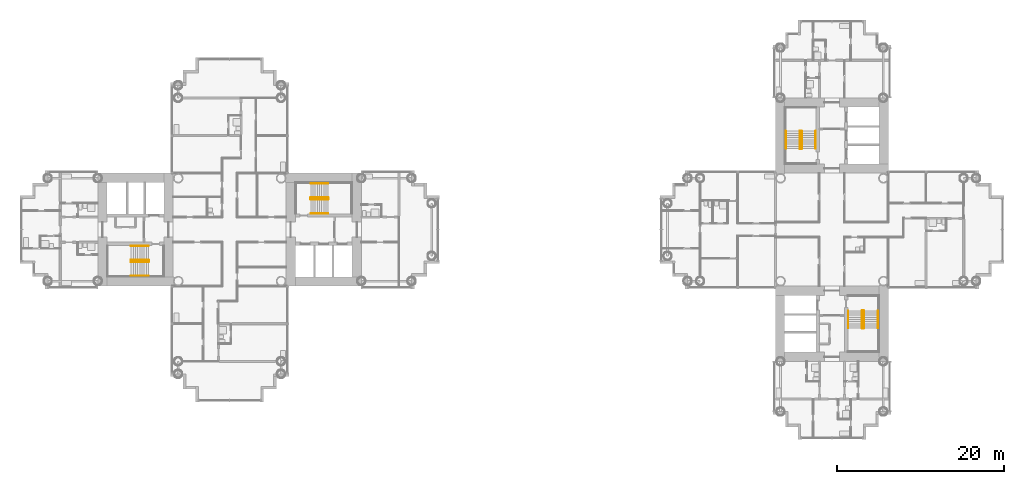
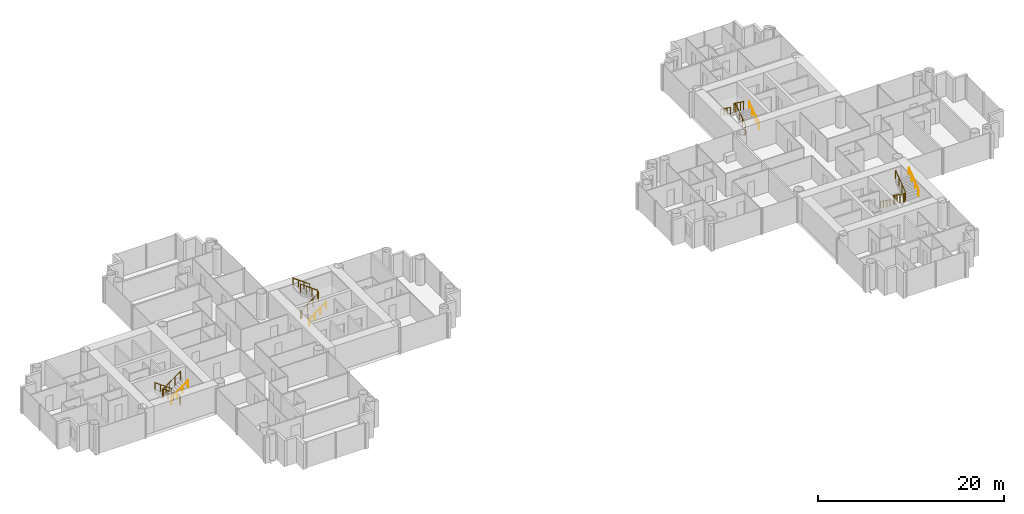
# One storey, part 21 of 22: 12 railings.
"""IFC4 building model written with IfcOpenShell, lengths in metres."""

from ifc_helpers import new_model, si_unit, direction, frame, origin, origin_2d, place, context, subcontext, project, spatial, circle, extrude, material, type_object, element, save


model = new_model("IFC4")

# Units and contexts
model_context = context("Model", 3, precision=1e-05, world=origin(), true_north=direction((0.0, 1.0)))
body_context = subcontext(model_context, "Body", "Model", "MODEL_VIEW")
ifc_project = project(units=[si_unit("LENGTHUNIT", "METRE"), si_unit("AREAUNIT", "SQUARE_METRE"), si_unit("VOLUMEUNIT", "CUBIC_METRE"), si_unit("PLANEANGLEUNIT", "RADIAN"), si_unit("MASSUNIT", "GRAM", prefix="KILO")], contexts=[model_context])

# Site, building, storey
site_placement = place(None, origin())
site = spatial("IfcSite", under=ifc_project, at=site_placement, CompositionType="ELEMENT")
building_placement = place(site_placement, origin())
building = spatial("IfcBuilding", under=site, at=building_placement, Name="Ipe Terrace Towers", CompositionType="ELEMENT")
storey_placement = place(building_placement, frame((0.0, 0.0, 61.89990234375)))
storey = spatial("IfcBuildingStorey", under=building, at=storey_placement, Name="L16", CompositionType="ELEMENT", Elevation=61.89990234375)

# Railings
ifc_material_1 = material(Name="Steel S355", Category="steel")
railing_type_1 = type_object("IfcRailingType", Name="Stair guard 1100", PredefinedType="GUARDRAIL", material=ifc_material_1)
railing_1_placement = place(storey_placement, frame((-26.35009765625, 3.800048828125, 0.0)))
element("IfcRailing", 1, at=railing_1_placement, inside=storey, type_object=railing_type_1, Name="L16 T1-ST1 stair guard 1", PredefinedType="GUARDRAIL", context=body_context, shape_type="SweptSolid", body=[
    extrude(circle(Radius=0.02392578125, at=origin_2d()), frame((0.0, 0.0, 1.076171875), z_axis=(0.0, -1.0, 0.0), x_axis=(1.0, 0.0, 0.0)), (0.0, 0.0, 1.0), 0.150146484375),
    extrude(circle(Radius=0.02392578125, at=origin_2d()), frame((0.0, -0.150146484375, 1.076171875), z_axis=(0.248103849378, -0.246893586699, 0.936743314239), x_axis=(0.705375805398, 0.708833529934, 0.0)), (0.0, 0.0, 1.0), 0.20166015625),
    extrude(circle(Radius=0.02392578125, at=origin_2d()), frame((0.050048828125, -0.199951171875, 1.26513671875), z_axis=(0.809023421508, 0.0, 0.587776406001), x_axis=(0.0, 1.0, 0.0)), (0.0, 0.0, 1.0), 2.571044921875),
    extrude(circle(Radius=0.02392578125, at=origin_2d()), frame((2.130126953125, -0.199951171875, 2.7763671875), z_axis=(0.708833529934, 0.705375805398, 0.0), x_axis=(-0.705375805398, 0.708833529934, 0.0)), (0.0, 0.0, 1.0), 0.070556640625),
    extrude(circle(Radius=0.02392578125, at=origin_2d()), frame((2.18017578125, -0.150146484375, 2.7763671875), z_axis=(0.0, 1.0, 0.0), x_axis=(-1.0, 0.0, 0.0)), (0.0, 0.0, 1.0), 0.150146484375),
    extrude(circle(Radius=0.02392578125, at=origin_2d()), frame((2.18017578125, 0.0, 2.7763671875), z_axis=(-0.248310886586, 0.248310886586, 0.936313733321), x_axis=(-0.707106781187, -0.707106781187, 0.0)), (0.0, 0.0, 1.0), 0.20166015625),
    extrude(circle(Radius=0.02392578125, at=origin_2d()), frame((2.130126953125, 0.050048828125, 2.96484375), z_axis=(-0.809023421508, 0.0, 0.587776406001), x_axis=(0.0, -1.0, 0.0)), (0.0, 0.0, 1.0), 2.571044921875),
    extrude(circle(Radius=0.02099609375, at=origin_2d()), origin(), (0.0, 0.0, 1.0), 1.052001953125),
    extrude(circle(Radius=0.02099609375, at=origin_2d()), frame((0.0, -0.150146484375, 0.0)), (0.0, 0.0, 1.0), 1.052001953125),
    extrude(circle(Radius=0.02099609375, at=origin_2d()), frame((0.050048828125, -0.199951171875, 0.18896484375)), (0.0, 0.0, 1.0), 1.052001953125),
    extrude(circle(Radius=0.02099609375, at=origin_2d()), frame((0.743408203125, -0.199951171875, 0.692626953125)), (0.0, 0.0, 1.0), 1.052001953125),
    extrude(circle(Radius=0.02099609375, at=origin_2d()), frame((1.436767578125, -0.199951171875, 1.196533203125)), (0.0, 0.0, 1.0), 1.052001953125),
    extrude(circle(Radius=0.02099609375, at=origin_2d()), frame((2.130126953125, -0.199951171875, 1.7001953125)), (0.0, 0.0, 1.0), 1.052001953125),
    extrude(circle(Radius=0.02099609375, at=origin_2d()), frame((2.18017578125, -0.150146484375, 1.7001953125)), (0.0, 0.0, 1.0), 1.052001953125),
    extrude(circle(Radius=0.02099609375, at=origin_2d()), frame((2.18017578125, 0.0, 1.7001953125)), (0.0, 0.0, 1.0), 1.052001953125),
    extrude(circle(Radius=0.02099609375, at=origin_2d()), frame((2.130126953125, 0.050048828125, 1.888916015625)), (0.0, 0.0, 1.0), 1.052001953125),
    extrude(circle(Radius=0.02099609375, at=origin_2d()), frame((1.436767578125, 0.050048828125, 2.392578125)), (0.0, 0.0, 1.0), 1.052001953125),
    extrude(circle(Radius=0.02099609375, at=origin_2d()), frame((0.743408203125, 0.050048828125, 2.896484375)), (0.0, 0.0, 1.0), 1.052001953125),
    extrude(circle(Radius=0.02099609375, at=origin_2d()), frame((0.050048828125, 0.050048828125, 3.400146484375)), (0.0, 0.0, 1.0), 1.052001953125),
])
railing_2_placement = place(storey_placement, frame((-45.64990234375, -3.800048828125, 0.0)))
element("IfcRailing", 2, at=railing_2_placement, inside=storey, type_object=railing_type_1, Name="L16 T1-ST2 stair guard 1", PredefinedType="GUARDRAIL", context=body_context, shape_type="SweptSolid", body=[
    extrude(circle(Radius=0.02392578125, at=origin_2d()), frame((0.0, 0.0, 1.076171875), z_axis=(0.0, 1.0, 0.0), x_axis=(-1.0, 0.0, 0.0)), (0.0, 0.0, 1.0), 0.150146484375),
    extrude(circle(Radius=0.02392578125, at=origin_2d()), frame((0.0, 0.150146484375, 1.076171875), z_axis=(-0.248103849378, 0.246893586699, 0.936743314239), x_axis=(-0.705375805398, -0.708833529934, 0.0)), (0.0, 0.0, 1.0), 0.20166015625),
    extrude(circle(Radius=0.02392578125, at=origin_2d()), frame((-0.050048828125, 0.199951171875, 1.26513671875), z_axis=(-0.809023421508, 0.0, 0.587776406001), x_axis=(0.0, -1.0, 0.0)), (0.0, 0.0, 1.0), 2.571044921875),
    extrude(circle(Radius=0.02392578125, at=origin_2d()), frame((-2.130126953125, 0.199951171875, 2.7763671875), z_axis=(-0.708833529934, -0.705375805398, 0.0), x_axis=(0.705375805398, -0.708833529934, 0.0)), (0.0, 0.0, 1.0), 0.070556640625),
    extrude(circle(Radius=0.02392578125, at=origin_2d()), frame((-2.18017578125, 0.150146484375, 2.7763671875), z_axis=(0.0, -1.0, 0.0), x_axis=(1.0, 0.0, 0.0)), (0.0, 0.0, 1.0), 0.150146484375),
    extrude(circle(Radius=0.02392578125, at=origin_2d()), frame((-2.18017578125, 0.0, 2.7763671875), z_axis=(0.248310886586, -0.248310886586, 0.936313733321), x_axis=(0.707106781187, 0.707106781187, 0.0)), (0.0, 0.0, 1.0), 0.20166015625),
    extrude(circle(Radius=0.02392578125, at=origin_2d()), frame((-2.130126953125, -0.050048828125, 2.96484375), z_axis=(0.809023421508, 0.0, 0.587776406001), x_axis=(0.0, 1.0, 0.0)), (0.0, 0.0, 1.0), 2.571044921875),
    extrude(circle(Radius=0.02099609375, at=origin_2d()), origin(), (0.0, 0.0, 1.0), 1.052001953125),
    extrude(circle(Radius=0.02099609375, at=origin_2d()), frame((0.0, 0.150146484375, 0.0)), (0.0, 0.0, 1.0), 1.052001953125),
    extrude(circle(Radius=0.02099609375, at=origin_2d()), frame((-0.050048828125, 0.199951171875, 0.18896484375)), (0.0, 0.0, 1.0), 1.052001953125),
    extrude(circle(Radius=0.02099609375, at=origin_2d()), frame((-0.743408203125, 0.199951171875, 0.692626953125)), (0.0, 0.0, 1.0), 1.052001953125),
    extrude(circle(Radius=0.02099609375, at=origin_2d()), frame((-1.436767578125, 0.199951171875, 1.196533203125)), (0.0, 0.0, 1.0), 1.052001953125),
    extrude(circle(Radius=0.02099609375, at=origin_2d()), frame((-2.130126953125, 0.199951171875, 1.7001953125)), (0.0, 0.0, 1.0), 1.052001953125),
    extrude(circle(Radius=0.02099609375, at=origin_2d()), frame((-2.18017578125, 0.150146484375, 1.7001953125)), (0.0, 0.0, 1.0), 1.052001953125),
    extrude(circle(Radius=0.02099609375, at=origin_2d()), frame((-2.18017578125, 0.0, 1.7001953125)), (0.0, 0.0, 1.0), 1.052001953125),
    extrude(circle(Radius=0.02099609375, at=origin_2d()), frame((-2.130126953125, -0.050048828125, 1.888916015625)), (0.0, 0.0, 1.0), 1.052001953125),
    extrude(circle(Radius=0.02099609375, at=origin_2d()), frame((-1.436767578125, -0.050048828125, 2.392578125)), (0.0, 0.0, 1.0), 1.052001953125),
    extrude(circle(Radius=0.02099609375, at=origin_2d()), frame((-0.743408203125, -0.050048828125, 2.896484375)), (0.0, 0.0, 1.0), 1.052001953125),
    extrude(circle(Radius=0.02099609375, at=origin_2d()), frame((-0.050048828125, -0.050048828125, 3.400146484375)), (0.0, 0.0, 1.0), 1.052001953125),
])
railing_3_placement = place(storey_placement, frame((32.199951171875, 9.64990234375, 0.0)))
element("IfcRailing", 3, at=railing_3_placement, inside=storey, type_object=railing_type_1, Name="L16 T2-ST1 stair guard 1", PredefinedType="GUARDRAIL", context=body_context, shape_type="SweptSolid", body=[
    extrude(circle(Radius=0.02392578125, at=origin_2d()), frame((0.0, 0.0, 1.076171875), z_axis=(1.0, 0.0, 0.0), x_axis=(0.0, 1.0, 0.0)), (0.0, 0.0, 1.0), 0.150146484375),
    extrude(circle(Radius=0.02392578125, at=origin_2d()), frame((0.150146484375, 0.0, 1.076171875), z_axis=(0.246893586699, 0.248103849378, 0.936743314239), x_axis=(-0.708833529934, 0.705375805398, 0.0)), (0.0, 0.0, 1.0), 0.20166015625),
    extrude(circle(Radius=0.02392578125, at=origin_2d()), frame((0.199951171875, 0.050048828125, 1.26513671875), z_axis=(0.0, 0.809023421508, 0.587776406001), x_axis=(-1.0, 0.0, 0.0)), (0.0, 0.0, 1.0), 2.571044921875),
    extrude(circle(Radius=0.02392578125, at=origin_2d()), frame((0.199951171875, 2.130126953125, 2.7763671875), z_axis=(-0.705375805398, 0.708833529934, 0.0), x_axis=(-0.708833529934, -0.705375805398, 0.0)), (0.0, 0.0, 1.0), 0.070556640625),
    extrude(circle(Radius=0.02392578125, at=origin_2d()), frame((0.150146484375, 2.18017578125, 2.7763671875), z_axis=(-1.0, 0.0, 0.0), x_axis=(0.0, -1.0, 0.0)), (0.0, 0.0, 1.0), 0.150146484375),
    extrude(circle(Radius=0.02392578125, at=origin_2d()), frame((0.0, 2.18017578125, 2.7763671875), z_axis=(-0.248310886586, -0.248310886586, 0.936313733321), x_axis=(0.707106781187, -0.707106781187, 0.0)), (0.0, 0.0, 1.0), 0.20166015625),
    extrude(circle(Radius=0.02392578125, at=origin_2d()), frame((-0.050048828125, 2.130126953125, 2.96484375), z_axis=(0.0, -0.809023421508, 0.587776406001), x_axis=(1.0, 0.0, 0.0)), (0.0, 0.0, 1.0), 2.571044921875),
    extrude(circle(Radius=0.02099609375, at=origin_2d()), origin(), (0.0, 0.0, 1.0), 1.052001953125),
    extrude(circle(Radius=0.02099609375, at=origin_2d()), frame((0.150146484375, 0.0, 0.0)), (0.0, 0.0, 1.0), 1.052001953125),
    extrude(circle(Radius=0.02099609375, at=origin_2d()), frame((0.199951171875, 0.050048828125, 0.18896484375)), (0.0, 0.0, 1.0), 1.052001953125),
    extrude(circle(Radius=0.02099609375, at=origin_2d()), frame((0.199951171875, 0.743408203125, 0.692626953125)), (0.0, 0.0, 1.0), 1.052001953125),
    extrude(circle(Radius=0.02099609375, at=origin_2d()), frame((0.199951171875, 1.436767578125, 1.196533203125)), (0.0, 0.0, 1.0), 1.052001953125),
    extrude(circle(Radius=0.02099609375, at=origin_2d()), frame((0.199951171875, 2.130126953125, 1.7001953125)), (0.0, 0.0, 1.0), 1.052001953125),
    extrude(circle(Radius=0.02099609375, at=origin_2d()), frame((0.150146484375, 2.18017578125, 1.7001953125)), (0.0, 0.0, 1.0), 1.052001953125),
    extrude(circle(Radius=0.02099609375, at=origin_2d()), frame((0.0, 2.18017578125, 1.7001953125)), (0.0, 0.0, 1.0), 1.052001953125),
    extrude(circle(Radius=0.02099609375, at=origin_2d()), frame((-0.050048828125, 2.130126953125, 1.888916015625)), (0.0, 0.0, 1.0), 1.052001953125),
    extrude(circle(Radius=0.02099609375, at=origin_2d()), frame((-0.050048828125, 1.436767578125, 2.392578125)), (0.0, 0.0, 1.0), 1.052001953125),
    extrude(circle(Radius=0.02099609375, at=origin_2d()), frame((-0.050048828125, 0.743408203125, 2.896484375)), (0.0, 0.0, 1.0), 1.052001953125),
    extrude(circle(Radius=0.02099609375, at=origin_2d()), frame((-0.050048828125, 0.050048828125, 3.400146484375)), (0.0, 0.0, 1.0), 1.052001953125),
])
railing_4_placement = place(storey_placement, frame((39.800048828125, -9.64990234375, 0.0)))
element("IfcRailing", 4, at=railing_4_placement, inside=storey, type_object=railing_type_1, Name="L16 T2-ST2 stair guard 1", PredefinedType="GUARDRAIL", context=body_context, shape_type="SweptSolid", body=[
    extrude(circle(Radius=0.02392578125, at=origin_2d()), frame((0.0, 0.0, 1.076171875), z_axis=(-1.0, 0.0, 0.0), x_axis=(0.0, -1.0, 0.0)), (0.0, 0.0, 1.0), 0.150146484375),
    extrude(circle(Radius=0.02392578125, at=origin_2d()), frame((-0.150146484375, 0.0, 1.076171875), z_axis=(-0.246893586699, -0.248103849378, 0.936743314239), x_axis=(0.708833529934, -0.705375805398, 0.0)), (0.0, 0.0, 1.0), 0.20166015625),
    extrude(circle(Radius=0.02392578125, at=origin_2d()), frame((-0.199951171875, -0.050048828125, 1.26513671875), z_axis=(0.0, -0.809023421508, 0.587776406001), x_axis=(1.0, 0.0, 0.0)), (0.0, 0.0, 1.0), 2.571044921875),
    extrude(circle(Radius=0.02392578125, at=origin_2d()), frame((-0.199951171875, -2.130126953125, 2.7763671875), z_axis=(0.705375805398, -0.708833529934, 0.0), x_axis=(0.708833529934, 0.705375805398, 0.0)), (0.0, 0.0, 1.0), 0.070556640625),
    extrude(circle(Radius=0.02392578125, at=origin_2d()), frame((-0.150146484375, -2.18017578125, 2.7763671875), z_axis=(1.0, 0.0, 0.0), x_axis=(0.0, 1.0, 0.0)), (0.0, 0.0, 1.0), 0.150146484375),
    extrude(circle(Radius=0.02392578125, at=origin_2d()), frame((0.0, -2.18017578125, 2.7763671875), z_axis=(0.248310886586, 0.248310886586, 0.936313733321), x_axis=(-0.707106781187, 0.707106781187, 0.0)), (0.0, 0.0, 1.0), 0.20166015625),
    extrude(circle(Radius=0.02392578125, at=origin_2d()), frame((0.050048828125, -2.130126953125, 2.96484375), z_axis=(0.0, 0.809023421508, 0.587776406001), x_axis=(-1.0, 0.0, 0.0)), (0.0, 0.0, 1.0), 2.571044921875),
    extrude(circle(Radius=0.02099609375, at=origin_2d()), origin(), (0.0, 0.0, 1.0), 1.052001953125),
    extrude(circle(Radius=0.02099609375, at=origin_2d()), frame((-0.150146484375, 0.0, 0.0)), (0.0, 0.0, 1.0), 1.052001953125),
    extrude(circle(Radius=0.02099609375, at=origin_2d()), frame((-0.199951171875, -0.050048828125, 0.18896484375)), (0.0, 0.0, 1.0), 1.052001953125),
    extrude(circle(Radius=0.02099609375, at=origin_2d()), frame((-0.199951171875, -0.743408203125, 0.692626953125)), (0.0, 0.0, 1.0), 1.052001953125),
    extrude(circle(Radius=0.02099609375, at=origin_2d()), frame((-0.199951171875, -1.436767578125, 1.196533203125)), (0.0, 0.0, 1.0), 1.052001953125),
    extrude(circle(Radius=0.02099609375, at=origin_2d()), frame((-0.199951171875, -2.130126953125, 1.7001953125)), (0.0, 0.0, 1.0), 1.052001953125),
    extrude(circle(Radius=0.02099609375, at=origin_2d()), frame((-0.150146484375, -2.18017578125, 1.7001953125)), (0.0, 0.0, 1.0), 1.052001953125),
    extrude(circle(Radius=0.02099609375, at=origin_2d()), frame((0.0, -2.18017578125, 1.7001953125)), (0.0, 0.0, 1.0), 1.052001953125),
    extrude(circle(Radius=0.02099609375, at=origin_2d()), frame((0.050048828125, -2.130126953125, 1.888916015625)), (0.0, 0.0, 1.0), 1.052001953125),
    extrude(circle(Radius=0.02099609375, at=origin_2d()), frame((0.050048828125, -1.436767578125, 2.392578125)), (0.0, 0.0, 1.0), 1.052001953125),
    extrude(circle(Radius=0.02099609375, at=origin_2d()), frame((0.050048828125, -0.743408203125, 2.896484375)), (0.0, 0.0, 1.0), 1.052001953125),
    extrude(circle(Radius=0.02099609375, at=origin_2d()), frame((0.050048828125, -0.050048828125, 3.400146484375)), (0.0, 0.0, 1.0), 1.052001953125),
])
ifc_material_2 = material(Name="Stainless steel grade 304", Category="steel")
railing_type_2 = type_object("IfcRailingType", Name="Stair handrail 900", PredefinedType="HANDRAIL", material=ifc_material_2)
railing_5_placement = place(storey_placement, frame((-26.300048828125, 1.949951171875, 0.18896484375)))
element("IfcRailing", 5, at=railing_5_placement, inside=storey, type_object=railing_type_2, Name="L16 T1-ST1 stair handrail 1", PredefinedType="HANDRAIL", context=body_context, shape_type="SweptSolid", body=[
    extrude(circle(Radius=0.02392578125, at=origin_2d()), frame((0.0, 0.0, 0.8759765625), z_axis=(0.809023421508, 0.0, 0.587776406001), x_axis=(0.0, 1.0, 0.0)), (0.0, 0.0, 1.0), 2.571044921875),
    extrude(circle(Radius=0.02099609375, at=origin_2d()), origin(), (0.0, 0.0, 1.0), 0.851806640625),
    extrude(circle(Radius=0.02099609375, at=origin_2d()), frame((0.693359375, 0.0, 0.503662109375)), (0.0, 0.0, 1.0), 0.851806640625),
    extrude(circle(Radius=0.02099609375, at=origin_2d()), frame((1.38671875, 0.0, 1.007568359375)), (0.0, 0.0, 1.0), 0.851806640625),
    extrude(circle(Radius=0.02099609375, at=origin_2d()), frame((2.080078125, 0.0, 1.51123046875)), (0.0, 0.0, 1.0), 0.851806640625),
])
for number, where, name in (
    (6, (-24.219970703125, 5.5, 1.888916015625), "L16 T1-ST1 stair handrail 2"),
    (7, (-45.699951171875, -1.949951171875, 0.18896484375), "L16 T1-ST2 stair handrail 1"),
):
    element("IfcRailing", number, at=place(storey_placement, frame(where)), inside=storey, type_object=railing_type_2, Name=name, PredefinedType="HANDRAIL", context=body_context, shape_type="SweptSolid", body=[
        extrude(circle(Radius=0.02392578125, at=origin_2d()), frame((0.0, 0.0, 0.8759765625), z_axis=(-0.809023421508, 0.0, 0.587776406001), x_axis=(0.0, -1.0, 0.0)), (0.0, 0.0, 1.0), 2.571044921875),
        extrude(circle(Radius=0.02099609375, at=origin_2d()), origin(), (0.0, 0.0, 1.0), 0.851806640625),
        extrude(circle(Radius=0.02099609375, at=origin_2d()), frame((-0.693359375, 0.0, 0.503662109375)), (0.0, 0.0, 1.0), 0.851806640625),
        extrude(circle(Radius=0.02099609375, at=origin_2d()), frame((-1.38671875, 0.0, 1.007568359375)), (0.0, 0.0, 1.0), 0.851806640625),
        extrude(circle(Radius=0.02099609375, at=origin_2d()), frame((-2.080078125, 0.0, 1.51123046875)), (0.0, 0.0, 1.0), 0.851806640625),
    ])
railing_6_placement = place(storey_placement, frame((-47.780029296875, -5.5, 1.888916015625)))
element("IfcRailing", 8, at=railing_6_placement, inside=storey, type_object=railing_type_2, Name="L16 T1-ST2 stair handrail 2", PredefinedType="HANDRAIL", context=body_context, shape_type="SweptSolid", body=[
    extrude(circle(Radius=0.02392578125, at=origin_2d()), frame((0.0, 0.0, 0.8759765625), z_axis=(0.809023421508, 0.0, 0.587776406001), x_axis=(0.0, 1.0, 0.0)), (0.0, 0.0, 1.0), 2.571044921875),
    extrude(circle(Radius=0.02099609375, at=origin_2d()), origin(), (0.0, 0.0, 1.0), 0.851806640625),
    extrude(circle(Radius=0.02099609375, at=origin_2d()), frame((0.693359375, 0.0, 0.503662109375)), (0.0, 0.0, 1.0), 0.851806640625),
    extrude(circle(Radius=0.02099609375, at=origin_2d()), frame((1.38671875, 0.0, 1.007568359375)), (0.0, 0.0, 1.0), 0.851806640625),
    extrude(circle(Radius=0.02099609375, at=origin_2d()), frame((2.080078125, 0.0, 1.51123046875)), (0.0, 0.0, 1.0), 0.851806640625),
])
railing_7_placement = place(storey_placement, frame((34.050048828125, 9.699951171875, 0.18896484375)))
element("IfcRailing", 9, at=railing_7_placement, inside=storey, type_object=railing_type_2, Name="L16 T2-ST1 stair handrail 1", PredefinedType="HANDRAIL", context=body_context, shape_type="SweptSolid", body=[
    extrude(circle(Radius=0.02392578125, at=origin_2d()), frame((0.0, 0.0, 0.8759765625), z_axis=(0.0, 0.809023421508, 0.587776406001), x_axis=(-1.0, 0.0, 0.0)), (0.0, 0.0, 1.0), 2.571044921875),
    extrude(circle(Radius=0.02099609375, at=origin_2d()), origin(), (0.0, 0.0, 1.0), 0.851806640625),
    extrude(circle(Radius=0.02099609375, at=origin_2d()), frame((0.0, 0.693359375, 0.503662109375)), (0.0, 0.0, 1.0), 0.851806640625),
    extrude(circle(Radius=0.02099609375, at=origin_2d()), frame((0.0, 1.38671875, 1.007568359375)), (0.0, 0.0, 1.0), 0.851806640625),
    extrude(circle(Radius=0.02099609375, at=origin_2d()), frame((0.0, 2.080078125, 1.51123046875)), (0.0, 0.0, 1.0), 0.851806640625),
])
for number, where, name in (
    (10, (30.5, 11.780029296875, 1.888916015625), "L16 T2-ST1 stair handrail 2"),
    (11, (37.949951171875, -9.699951171875, 0.18896484375), "L16 T2-ST2 stair handrail 1"),
):
    element("IfcRailing", number, at=place(storey_placement, frame(where)), inside=storey, type_object=railing_type_2, Name=name, PredefinedType="HANDRAIL", context=body_context, shape_type="SweptSolid", body=[
        extrude(circle(Radius=0.02392578125, at=origin_2d()), frame((0.0, 0.0, 0.8759765625), z_axis=(0.0, -0.809023421508, 0.587776406001), x_axis=(1.0, 0.0, 0.0)), (0.0, 0.0, 1.0), 2.571044921875),
        extrude(circle(Radius=0.02099609375, at=origin_2d()), origin(), (0.0, 0.0, 1.0), 0.851806640625),
        extrude(circle(Radius=0.02099609375, at=origin_2d()), frame((0.0, -0.693359375, 0.503662109375)), (0.0, 0.0, 1.0), 0.851806640625),
        extrude(circle(Radius=0.02099609375, at=origin_2d()), frame((0.0, -1.38671875, 1.007568359375)), (0.0, 0.0, 1.0), 0.851806640625),
        extrude(circle(Radius=0.02099609375, at=origin_2d()), frame((0.0, -2.080078125, 1.51123046875)), (0.0, 0.0, 1.0), 0.851806640625),
    ])
railing_8_placement = place(storey_placement, frame((41.5, -11.780029296875, 1.888916015625)))
element("IfcRailing", 12, at=railing_8_placement, inside=storey, type_object=railing_type_2, Name="L16 T2-ST2 stair handrail 2", PredefinedType="HANDRAIL", context=body_context, shape_type="SweptSolid", body=[
    extrude(circle(Radius=0.02392578125, at=origin_2d()), frame((0.0, 0.0, 0.8759765625), z_axis=(0.0, 0.809023421508, 0.587776406001), x_axis=(-1.0, 0.0, 0.0)), (0.0, 0.0, 1.0), 2.571044921875),
    extrude(circle(Radius=0.02099609375, at=origin_2d()), origin(), (0.0, 0.0, 1.0), 0.851806640625),
    extrude(circle(Radius=0.02099609375, at=origin_2d()), frame((0.0, 0.693359375, 0.503662109375)), (0.0, 0.0, 1.0), 0.851806640625),
    extrude(circle(Radius=0.02099609375, at=origin_2d()), frame((0.0, 1.38671875, 1.007568359375)), (0.0, 0.0, 1.0), 0.851806640625),
    extrude(circle(Radius=0.02099609375, at=origin_2d()), frame((0.0, 2.080078125, 1.51123046875)), (0.0, 0.0, 1.0), 0.851806640625),
])

save(model, "model.ifc")
